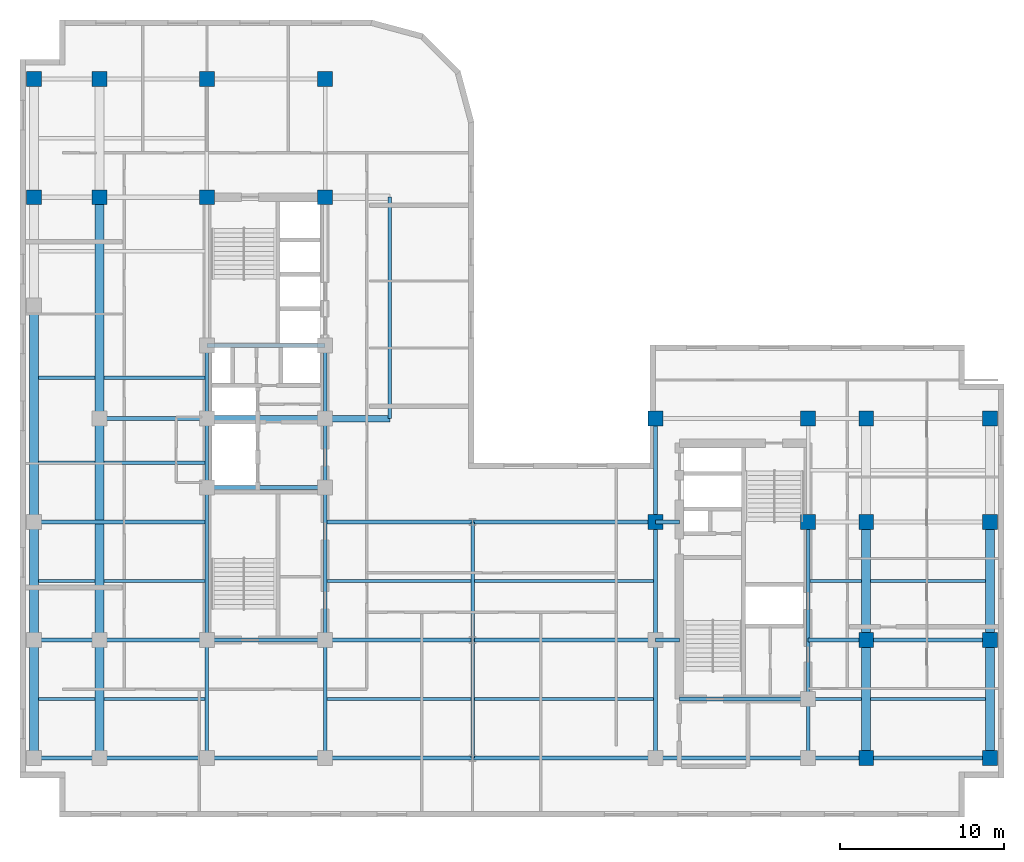
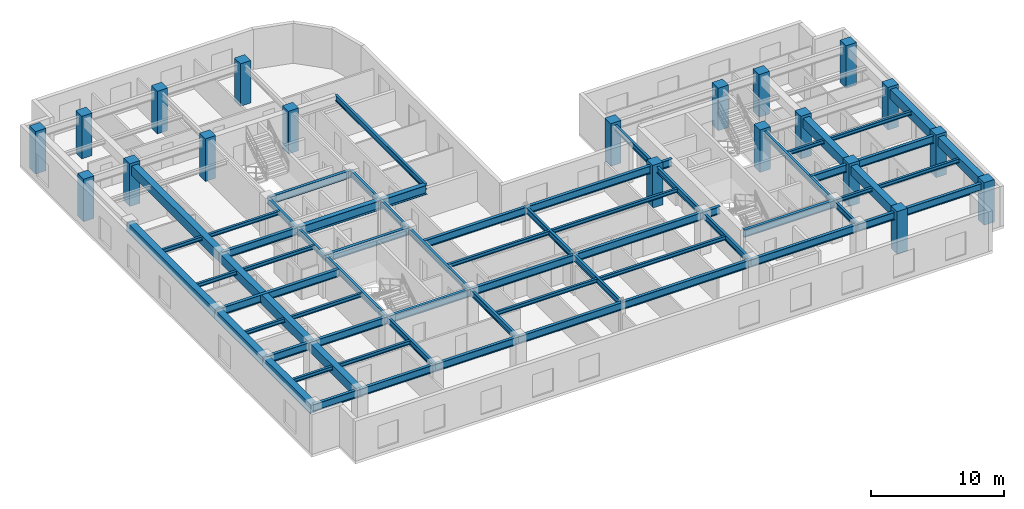
# One storey, part 2 of 11: 67 beams, 20 columns.
"""IFC4 building model written with IfcOpenShell, lengths in metres."""

from ifc_helpers import new_model, entity, si_unit, converted_unit, direction, frame, origin_with_axes, origin_2d_with_axis, place, context, subcontext, project, spatial, rectangle, i_section, extrude, material, material_profile, profile_set, type_object, element, save


model = new_model("IFC4")

# Units and contexts
model_context = context("Model", 3, precision=1e-05, world=origin_with_axes(), true_north=direction((0.0, 1.0)))
body_context = subcontext(model_context, "Body", "Model", "MODEL_VIEW")
ifc_project = project(units=[si_unit("LENGTHUNIT", "METRE"), si_unit("AREAUNIT", "SQUARE_METRE"), si_unit("VOLUMEUNIT", "CUBIC_METRE"), converted_unit("PLANEANGLEUNIT", "DEGREE", entity("IfcPlaneAngleMeasure", 0.017453292519943295), si_unit("PLANEANGLEUNIT", "RADIAN"), dimensions=[0, 0, 0, 0, 0, 0, 0]), si_unit("MASSUNIT", "GRAM", prefix="KILO"), si_unit("THERMODYNAMICTEMPERATUREUNIT", "KELVIN")], contexts=[model_context])

# Site, building, storey
site_placement = place(None, origin_with_axes())
site = spatial("IfcSite", under=ifc_project, at=site_placement, CompositionType="ELEMENT")
building_placement = place(site_placement, origin_with_axes())
building = spatial("IfcBuilding", under=site, at=building_placement, Name="Varnlund Millrace Tower", CompositionType="ELEMENT")
storey_placement = place(building_placement, frame((0.0, 0.0, 192.6), z_axis=(0.0, 0.0, 1.0), x_axis=(1.0, 0.0, 0.0)))
storey = spatial("IfcBuildingStorey", under=building, at=storey_placement, Name="L47", CompositionType="ELEMENT", Elevation=192.6)

# Columns
ifc_material_1 = material(Name="Concrete C70/85", Category="concrete")
ifc_material_profile_1 = material_profile(ifc_material_1, rectangle(XDim=0.9, YDim=0.9, at=origin_2d_with_axis()), Name="Concrete C70/85")
ifc_profile_set_1 = profile_set([ifc_material_profile_1], Name="Concrete C70/85")
column_type = type_object("IfcColumnType", Name="Type-Col-RC900-C70", PredefinedType="COLUMN", material=ifc_profile_set_1)
for number, where, z_axis, x_axis, name in (
    (1, (11.4, 37.8, 0.0), (0.0, 0.0, 1.0), (1.0, 0.0, 0.0), "Type-Col-RC900-C70"),
    (2, (11.4, 45.0, 0.0), (0.0, 0.0, 1.0), (1.0, 0.0, 0.0), "Type-Col-RC900-C70"),
    (3, (18.6, 37.8, 0.0), (0.0, 0.0, 1.0), (1.0, 0.0, 0.0), "Type-Col-RC900-C70"),
    (4, (18.6, 45.0, 0.0), (0.0, 0.0, 1.0), (1.0, 0.0, 0.0), "Type-Col-RC900-C70"),
    (5, (4.85, 37.8, 0.0), (0.0, 0.0, 1.0), (1.0, 0.0, 0.0), "Type-Col-RC900-C70"),
    (6, (4.85, 45.0, 0.0), (0.0, 0.0, 1.0), (1.0, 0.0, 0.0), "Type-Col-RC900-C70"),
    (7, (0.85, 37.8, 0.0), (0.0, 0.0, 1.0), (1.0, 0.0, 0.0), "Type-Col-RC900-C70"),
    (8, (0.85, 45.0, 0.0), (0.0, 0.0, 1.0), (1.0, 0.0, 0.0), "Type-Col-RC900-C70"),
    (9, (38.75, 18.0, 0.0), (0.0, 0.0, 1.0), (1.0, 0.0, 0.0), "Type-Col-RC900-C70"),
    (10, (38.75, 24.3, 0.0), (0.0, 0.0, 1.0), (1.0, 0.0, 0.0), "Type-Col-RC900-C70"),
    (11, (48.05, 18.0, 0.0), (0.0, 0.0, 1.0), (1.0, 0.0, 0.0), "Type-Col-RC900-C70"),
    (12, (48.05, 24.3, 0.0), (0.0, 0.0, 1.0), (1.0, 0.0, 0.0), "Type-Col-RC900-C70"),
    (13, (51.6, 3.6, 0.0), (0.0, 0.0, 1.0), (1.0, 0.0, 0.0), "Type-Col-RC900-C70"),
    (14, (51.6, 10.8, 0.0), (0.0, 0.0, 1.0), (1.0, 0.0, 0.0), "Type-Col-RC900-C70"),
    (15, (51.6, 18.0, 0.0), (0.0, 0.0, 1.0), (1.0, 0.0, 0.0), "Type-Col-RC900-C70"),
    (16, (51.6, 24.3, 0.0), (0.0, 0.0, 1.0), (1.0, 0.0, 0.0), "Type-Col-RC900-C70"),
    (17, (59.15, 3.6, 0.0), (0.0, 0.0, 1.0), (1.0, 0.0, 0.0), "Type-Col-RC900-C70"),
    (18, (59.15, 10.8, 0.0), (0.0, 0.0, 1.0), (1.0, 0.0, 0.0), "Type-Col-RC900-C70"),
    (19, (59.15, 18.0, 0.0), (0.0, 0.0, 1.0), (1.0, 0.0, 0.0), "Type-Col-RC900-C70"),
    (20, (59.15, 24.3, 0.0), (0.0, 0.0, 1.0), (1.0, 0.0, 0.0), "Type-Col-RC900-C70"),
):
    element("IfcColumn", number, at=place(storey_placement, frame(where, z_axis=z_axis, x_axis=x_axis)), inside=storey, type_object=column_type, Name=name, PredefinedType="COLUMN", context=body_context, shape_type="SweptSolid", body=[
        extrude(rectangle(XDim=0.9, YDim=0.9, at=origin_2d_with_axis()), origin_with_axes(), (0.0, 0.0, 1.0), 3.9),
    ])

# Beams
ifc_material_2 = material(Name="Steel ASTM A992 Grade 50", Category="steel")
ifc_material_profile_2 = material_profile(ifc_material_2, i_section(OverallWidth=0.209, OverallDepth=0.533, WebThickness=0.0102, FlangeThickness=0.0156, FilletRadius=0.014, at=origin_2d_with_axis()), Name="Steel ASTM A992 Grade 50")
ifc_profile_set_2 = profile_set([ifc_material_profile_2], Name="Steel ASTM A992 Grade 50")
beam_type_1 = type_object("IfcBeamType", Name="Type-Beam-W21X62", PredefinedType="BEAM", material=ifc_profile_set_2)
beam_1_placement = place(storey_placement, frame((22.55, 24.3, 3.3935), z_axis=(0.0, 1.0, 0.0), x_axis=(-1.0, 0.0, 0.0)))
element("IfcBeam", 21, at=beam_1_placement, inside=storey, type_object=beam_type_1, Name="Type-Beam-W21X62", PredefinedType="BEAM", context=body_context, shape_type="SweptSolid", body=[
    extrude(i_section(OverallWidth=0.209, OverallDepth=0.533, WebThickness=0.0102, FlangeThickness=0.0156, FilletRadius=0.014, at=origin_2d_with_axis()), origin_with_axes(), (0.0, 0.0, 1.0), 13.5),
])
ifc_material_profile_3 = material_profile(ifc_material_2, i_section(OverallWidth=0.214, OverallDepth=0.549, WebThickness=0.0147, FlangeThickness=0.0236, FilletRadius=0.015, at=origin_2d_with_axis()), Name="Steel ASTM A992 Grade 50")
ifc_profile_set_3 = profile_set([ifc_material_profile_3], Name="Steel ASTM A992 Grade 50")
beam_type_2 = type_object("IfcBeamType", Name="Type-Beam-W21X93", PredefinedType="BEAM", material=ifc_profile_set_3)
beam_2_placement = place(storey_placement, frame((11.4, 3.6, 3.3855), z_axis=(0.0, 1.0, 0.0), x_axis=(-1.0, 0.0, 0.0)))
element("IfcBeam", 22, at=beam_2_placement, inside=storey, type_object=beam_type_2, Name="Type-Beam-W21X93", PredefinedType="BEAM", context=body_context, shape_type="SweptSolid", body=[
    extrude(i_section(OverallWidth=0.214, OverallDepth=0.549, WebThickness=0.0147, FlangeThickness=0.0236, FilletRadius=0.015, at=origin_2d_with_axis()), origin_with_axes(), (0.0, 0.0, 1.0), 7.2),
])
beam_3_placement = place(storey_placement, frame((11.4, 10.8, 3.3855), z_axis=(0.0, 1.0, 0.0), x_axis=(-1.0, 0.0, 0.0)))
element("IfcBeam", 23, at=beam_3_placement, inside=storey, type_object=beam_type_2, Name="Type-Beam-W21X93", PredefinedType="BEAM", context=body_context, shape_type="SweptSolid", body=[
    extrude(i_section(OverallWidth=0.214, OverallDepth=0.549, WebThickness=0.0147, FlangeThickness=0.0236, FilletRadius=0.015, at=origin_2d_with_axis()), origin_with_axes(), (0.0, 0.0, 1.0), 9.3),
])
beam_4_placement = place(storey_placement, frame((11.4, 20.1, 3.3855), z_axis=(0.0, 1.0, 0.0), x_axis=(-1.0, 0.0, 0.0)))
element("IfcBeam", 24, at=beam_4_placement, inside=storey, type_object=beam_type_2, Name="Type-Beam-W21X93", PredefinedType="BEAM", context=body_context, shape_type="SweptSolid", body=[
    extrude(i_section(OverallWidth=0.214, OverallDepth=0.549, WebThickness=0.0147, FlangeThickness=0.0236, FilletRadius=0.015, at=origin_2d_with_axis()), origin_with_axes(), (0.0, 0.0, 1.0), 4.2),
])
beam_5_placement = place(storey_placement, frame((11.4, 24.3, 3.3855), z_axis=(0.0, 1.0, 0.0), x_axis=(-1.0, 0.0, 0.0)))
element("IfcBeam", 25, at=beam_5_placement, inside=storey, type_object=beam_type_2, Name="Type-Beam-W21X93", PredefinedType="BEAM", context=body_context, shape_type="SweptSolid", body=[
    extrude(i_section(OverallWidth=0.214, OverallDepth=0.549, WebThickness=0.0147, FlangeThickness=0.0236, FilletRadius=0.015, at=origin_2d_with_axis()), origin_with_axes(), (0.0, 0.0, 1.0), 4.45),
])
beam_6_placement = place(storey_placement, frame((18.6, 3.6, 3.3855), z_axis=(0.0, 1.0, 0.0), x_axis=(-1.0, 0.0, 0.0)))
element("IfcBeam", 26, at=beam_6_placement, inside=storey, type_object=beam_type_2, Name="Type-Beam-W21X93", PredefinedType="BEAM", context=body_context, shape_type="SweptSolid", body=[
    extrude(i_section(OverallWidth=0.214, OverallDepth=0.549, WebThickness=0.0147, FlangeThickness=0.0236, FilletRadius=0.015, at=origin_2d_with_axis()), origin_with_axes(), (0.0, 0.0, 1.0), 7.2),
])
beam_7_placement = place(storey_placement, frame((18.6, 10.8, 3.3855), z_axis=(0.0, 1.0, 0.0), x_axis=(-1.0, 0.0, 0.0)))
element("IfcBeam", 27, at=beam_7_placement, inside=storey, type_object=beam_type_2, Name="Type-Beam-W21X93", PredefinedType="BEAM", context=body_context, shape_type="SweptSolid", body=[
    extrude(i_section(OverallWidth=0.214, OverallDepth=0.549, WebThickness=0.0147, FlangeThickness=0.0236, FilletRadius=0.015, at=origin_2d_with_axis()), origin_with_axes(), (0.0, 0.0, 1.0), 9.3),
])
beam_8_placement = place(storey_placement, frame((18.6, 20.1, 3.3855), z_axis=(0.0, 1.0, 0.0), x_axis=(-1.0, 0.0, 0.0)))
element("IfcBeam", 28, at=beam_8_placement, inside=storey, type_object=beam_type_2, Name="Type-Beam-W21X93", PredefinedType="BEAM", context=body_context, shape_type="SweptSolid", body=[
    extrude(i_section(OverallWidth=0.214, OverallDepth=0.549, WebThickness=0.0147, FlangeThickness=0.0236, FilletRadius=0.015, at=origin_2d_with_axis()), origin_with_axes(), (0.0, 0.0, 1.0), 4.2),
])
beam_9_placement = place(storey_placement, frame((18.6, 24.3, 3.3855), z_axis=(0.0, 1.0, 0.0), x_axis=(-1.0, 0.0, 0.0)))
element("IfcBeam", 29, at=beam_9_placement, inside=storey, type_object=beam_type_2, Name="Type-Beam-W21X93", PredefinedType="BEAM", context=body_context, shape_type="SweptSolid", body=[
    extrude(i_section(OverallWidth=0.214, OverallDepth=0.549, WebThickness=0.0147, FlangeThickness=0.0236, FilletRadius=0.015, at=origin_2d_with_axis()), origin_with_axes(), (0.0, 0.0, 1.0), 4.45),
])
for number, where, z_axis, x_axis, name in (
    (30, (27.6, 3.6, 3.3855), (0.0, 1.0, 0.0), (-1.0, 0.0, 0.0), "Type-Beam-W21X93"),
    (31, (27.6, 10.8, 3.3855), (0.0, 1.0, 0.0), (-1.0, 0.0, 0.0), "Type-Beam-W21X93"),
    (32, (38.75, 3.6, 3.3855), (0.0, 1.0, 0.0), (-1.0, 0.0, 0.0), "Type-Beam-W21X93"),
    (33, (38.75, 10.8, 3.3855), (0.0, 1.0, 0.0), (-1.0, 0.0, 0.0), "Type-Beam-W21X93"),
):
    element("IfcBeam", number, at=place(storey_placement, frame(where, z_axis=z_axis, x_axis=x_axis)), inside=storey, type_object=beam_type_2, Name=name, PredefinedType="BEAM", context=body_context, shape_type="SweptSolid", body=[
        extrude(i_section(OverallWidth=0.214, OverallDepth=0.549, WebThickness=0.0147, FlangeThickness=0.0236, FilletRadius=0.015, at=origin_2d_with_axis()), origin_with_axes(), (0.0, 0.0, 1.0), 7.2),
    ])
beam_10_placement = place(storey_placement, frame((38.75, 18.0, 3.3855), z_axis=(0.0, 1.0, 0.0), x_axis=(-1.0, 0.0, 0.0)))
element("IfcBeam", 34, at=beam_10_placement, inside=storey, type_object=beam_type_2, Name="Type-Beam-W21X93", PredefinedType="BEAM", context=body_context, shape_type="SweptSolid", body=[
    extrude(i_section(OverallWidth=0.214, OverallDepth=0.549, WebThickness=0.0147, FlangeThickness=0.0236, FilletRadius=0.015, at=origin_2d_with_axis()), origin_with_axes(), (0.0, 0.0, 1.0), 6.3),
])
beam_11_placement = place(storey_placement, frame((48.05, 3.6, 3.3855), z_axis=(0.0, 1.0, 0.0), x_axis=(-1.0, 0.0, 0.0)))
element("IfcBeam", 35, at=beam_11_placement, inside=storey, type_object=beam_type_2, Name="Type-Beam-W21X93", PredefinedType="BEAM", context=body_context, shape_type="SweptSolid", body=[
    extrude(i_section(OverallWidth=0.214, OverallDepth=0.549, WebThickness=0.0147, FlangeThickness=0.0236, FilletRadius=0.015, at=origin_2d_with_axis()), origin_with_axes(), (0.0, 0.0, 1.0), 3.6),
])
beam_12_placement = place(storey_placement, frame((48.05, 7.2, 3.3855), z_axis=(0.0, 1.0, 0.0), x_axis=(-1.0, 0.0, 0.0)))
element("IfcBeam", 36, at=beam_12_placement, inside=storey, type_object=beam_type_2, Name="Type-Beam-W21X93", PredefinedType="BEAM", context=body_context, shape_type="SweptSolid", body=[
    extrude(i_section(OverallWidth=0.214, OverallDepth=0.549, WebThickness=0.0147, FlangeThickness=0.0236, FilletRadius=0.015, at=origin_2d_with_axis()), origin_with_axes(), (0.0, 0.0, 1.0), 10.8),
])
ifc_material_profile_4 = material_profile(ifc_material_2, i_section(OverallWidth=0.256, OverallDepth=0.693, WebThickness=0.0145, FlangeThickness=0.0236, FilletRadius=0.018, at=origin_2d_with_axis()), Name="Steel ASTM A992 Grade 50")
ifc_profile_set_4 = profile_set([ifc_material_profile_4], Name="Steel ASTM A992 Grade 50")
beam_type_3 = type_object("IfcBeamType", Name="Type-Girder-W27X114", PredefinedType="USERDEFINED", material=ifc_profile_set_4)
beam_13_placement = place(storey_placement, frame((0.85, 3.6, 3.3135), z_axis=(1.0, 0.0, 0.0), x_axis=(0.0, 1.0, 0.0)))
element("IfcBeam", 37, at=beam_13_placement, inside=storey, type_object=beam_type_3, Name="Type-Girder-W27X114", ObjectType="GIRDER", PredefinedType="USERDEFINED", context=body_context, shape_type="SweptSolid", body=[
    extrude(i_section(OverallWidth=0.256, OverallDepth=0.693, WebThickness=0.0145, FlangeThickness=0.0236, FilletRadius=0.018, at=origin_2d_with_axis()), origin_with_axes(), (0.0, 0.0, 1.0), 4.0),
])
beam_14_placement = place(storey_placement, frame((4.85, 3.6, 3.3135), z_axis=(1.0, 0.0, 0.0), x_axis=(0.0, 1.0, 0.0)))
element("IfcBeam", 38, at=beam_14_placement, inside=storey, type_object=beam_type_3, Name="Type-Girder-W27X114", ObjectType="GIRDER", PredefinedType="USERDEFINED", context=body_context, shape_type="SweptSolid", body=[
    extrude(i_section(OverallWidth=0.256, OverallDepth=0.693, WebThickness=0.0145, FlangeThickness=0.0236, FilletRadius=0.018, at=origin_2d_with_axis()), origin_with_axes(), (0.0, 0.0, 1.0), 6.55),
])
beam_15_placement = place(storey_placement, frame((11.4, 3.6, 3.3135), z_axis=(1.0, 0.0, 0.0), x_axis=(0.0, 1.0, 0.0)))
element("IfcBeam", 39, at=beam_15_placement, inside=storey, type_object=beam_type_3, Name="Type-Girder-W27X114", ObjectType="GIRDER", PredefinedType="USERDEFINED", context=body_context, shape_type="SweptSolid", body=[
    extrude(i_section(OverallWidth=0.256, OverallDepth=0.693, WebThickness=0.0145, FlangeThickness=0.0236, FilletRadius=0.018, at=origin_2d_with_axis()), origin_with_axes(), (0.0, 0.0, 1.0), 7.2),
])
beam_16_placement = place(storey_placement, frame((18.6, 3.6, 3.3135), z_axis=(1.0, 0.0, 0.0), x_axis=(0.0, 1.0, 0.0)))
element("IfcBeam", 40, at=beam_16_placement, inside=storey, type_object=beam_type_3, Name="Type-Girder-W27X114", ObjectType="GIRDER", PredefinedType="USERDEFINED", context=body_context, shape_type="SweptSolid", body=[
    extrude(i_section(OverallWidth=0.256, OverallDepth=0.693, WebThickness=0.0145, FlangeThickness=0.0236, FilletRadius=0.018, at=origin_2d_with_axis()), origin_with_axes(), (0.0, 0.0, 1.0), 9.0),
])
beam_17_placement = place(storey_placement, frame((27.6, 3.6, 3.3135), z_axis=(1.0, 0.0, 0.0), x_axis=(0.0, 1.0, 0.0)))
element("IfcBeam", 41, at=beam_17_placement, inside=storey, type_object=beam_type_3, Name="Type-Girder-W27X114", ObjectType="GIRDER", PredefinedType="USERDEFINED", context=body_context, shape_type="SweptSolid", body=[
    extrude(i_section(OverallWidth=0.256, OverallDepth=0.693, WebThickness=0.0145, FlangeThickness=0.0236, FilletRadius=0.018, at=origin_2d_with_axis()), origin_with_axes(), (0.0, 0.0, 1.0), 11.15),
])
beam_18_placement = place(storey_placement, frame((38.75, 3.6, 3.3135), z_axis=(1.0, 0.0, 0.0), x_axis=(0.0, 1.0, 0.0)))
element("IfcBeam", 42, at=beam_18_placement, inside=storey, type_object=beam_type_3, Name="Type-Girder-W27X114", ObjectType="GIRDER", PredefinedType="USERDEFINED", context=body_context, shape_type="SweptSolid", body=[
    extrude(i_section(OverallWidth=0.256, OverallDepth=0.693, WebThickness=0.0145, FlangeThickness=0.0236, FilletRadius=0.018, at=origin_2d_with_axis()), origin_with_axes(), (0.0, 0.0, 1.0), 9.3),
])
beam_19_placement = place(storey_placement, frame((48.05, 3.6, 3.3135), z_axis=(1.0, 0.0, 0.0), x_axis=(0.0, 1.0, 0.0)))
element("IfcBeam", 43, at=beam_19_placement, inside=storey, type_object=beam_type_3, Name="Type-Girder-W27X114", ObjectType="GIRDER", PredefinedType="USERDEFINED", context=body_context, shape_type="SweptSolid", body=[
    extrude(i_section(OverallWidth=0.256, OverallDepth=0.693, WebThickness=0.0145, FlangeThickness=0.0236, FilletRadius=0.018, at=origin_2d_with_axis()), origin_with_axes(), (0.0, 0.0, 1.0), 3.55),
])
beam_20_placement = place(storey_placement, frame((51.6, 3.6, 3.3135), z_axis=(1.0, 0.0, 0.0), x_axis=(0.0, 1.0, 0.0)))
element("IfcBeam", 44, at=beam_20_placement, inside=storey, type_object=beam_type_3, Name="Type-Girder-W27X114", ObjectType="GIRDER", PredefinedType="USERDEFINED", context=body_context, shape_type="SweptSolid", body=[
    extrude(i_section(OverallWidth=0.256, OverallDepth=0.693, WebThickness=0.0145, FlangeThickness=0.0236, FilletRadius=0.018, at=origin_2d_with_axis()), origin_with_axes(), (0.0, 0.0, 1.0), 7.55),
])
beam_21_placement = place(storey_placement, frame((40.2, 7.2, 3.3135), z_axis=(1.0, 0.0, 0.0), x_axis=(0.0, 1.0, 0.0)))
element("IfcBeam", 45, at=beam_21_placement, inside=storey, type_object=beam_type_3, Name="Type-Girder-W27X114", ObjectType="GIRDER", PredefinedType="USERDEFINED", context=body_context, shape_type="SweptSolid", body=[
    extrude(i_section(OverallWidth=0.256, OverallDepth=0.693, WebThickness=0.0145, FlangeThickness=0.0236, FilletRadius=0.018, at=origin_2d_with_axis()), origin_with_axes(), (0.0, 0.0, 1.0), 7.85),
])
beam_22_placement = place(storey_placement, frame((0.85, 10.8, 3.3135), z_axis=(1.0, 0.0, 0.0), x_axis=(0.0, 1.0, 0.0)))
element("IfcBeam", 46, at=beam_22_placement, inside=storey, type_object=beam_type_3, Name="Type-Girder-W27X114", ObjectType="GIRDER", PredefinedType="USERDEFINED", context=body_context, shape_type="SweptSolid", body=[
    extrude(i_section(OverallWidth=0.256, OverallDepth=0.693, WebThickness=0.0145, FlangeThickness=0.0236, FilletRadius=0.018, at=origin_2d_with_axis()), origin_with_axes(), (0.0, 0.0, 1.0), 4.0),
])
beam_23_placement = place(storey_placement, frame((4.85, 10.8, 3.3135), z_axis=(1.0, 0.0, 0.0), x_axis=(0.0, 1.0, 0.0)))
element("IfcBeam", 47, at=beam_23_placement, inside=storey, type_object=beam_type_3, Name="Type-Girder-W27X114", ObjectType="GIRDER", PredefinedType="USERDEFINED", context=body_context, shape_type="SweptSolid", body=[
    extrude(i_section(OverallWidth=0.256, OverallDepth=0.693, WebThickness=0.0145, FlangeThickness=0.0236, FilletRadius=0.018, at=origin_2d_with_axis()), origin_with_axes(), (0.0, 0.0, 1.0), 6.55),
])
beam_24_placement = place(storey_placement, frame((11.4, 10.8, 3.3135), z_axis=(1.0, 0.0, 0.0), x_axis=(0.0, 1.0, 0.0)))
element("IfcBeam", 48, at=beam_24_placement, inside=storey, type_object=beam_type_3, Name="Type-Girder-W27X114", ObjectType="GIRDER", PredefinedType="USERDEFINED", context=body_context, shape_type="SweptSolid", body=[
    extrude(i_section(OverallWidth=0.256, OverallDepth=0.693, WebThickness=0.0145, FlangeThickness=0.0236, FilletRadius=0.018, at=origin_2d_with_axis()), origin_with_axes(), (0.0, 0.0, 1.0), 7.2),
])
beam_25_placement = place(storey_placement, frame((18.6, 10.8, 3.3135), z_axis=(1.0, 0.0, 0.0), x_axis=(0.0, 1.0, 0.0)))
element("IfcBeam", 49, at=beam_25_placement, inside=storey, type_object=beam_type_3, Name="Type-Girder-W27X114", ObjectType="GIRDER", PredefinedType="USERDEFINED", context=body_context, shape_type="SweptSolid", body=[
    extrude(i_section(OverallWidth=0.256, OverallDepth=0.693, WebThickness=0.0145, FlangeThickness=0.0236, FilletRadius=0.018, at=origin_2d_with_axis()), origin_with_axes(), (0.0, 0.0, 1.0), 9.0),
])
beam_26_placement = place(storey_placement, frame((27.6, 10.8, 3.3135), z_axis=(1.0, 0.0, 0.0), x_axis=(0.0, 1.0, 0.0)))
element("IfcBeam", 50, at=beam_26_placement, inside=storey, type_object=beam_type_3, Name="Type-Girder-W27X114", ObjectType="GIRDER", PredefinedType="USERDEFINED", context=body_context, shape_type="SweptSolid", body=[
    extrude(i_section(OverallWidth=0.256, OverallDepth=0.693, WebThickness=0.0145, FlangeThickness=0.0236, FilletRadius=0.018, at=origin_2d_with_axis()), origin_with_axes(), (0.0, 0.0, 1.0), 11.15),
])
beam_27_placement = place(storey_placement, frame((38.75, 10.8, 3.3135), z_axis=(1.0, 0.0, 0.0), x_axis=(0.0, 1.0, 0.0)))
element("IfcBeam", 51, at=beam_27_placement, inside=storey, type_object=beam_type_3, Name="Type-Girder-W27X114", ObjectType="GIRDER", PredefinedType="USERDEFINED", context=body_context, shape_type="SweptSolid", body=[
    extrude(i_section(OverallWidth=0.256, OverallDepth=0.693, WebThickness=0.0145, FlangeThickness=0.0236, FilletRadius=0.018, at=origin_2d_with_axis()), origin_with_axes(), (0.0, 0.0, 1.0), 1.45),
])
beam_28_placement = place(storey_placement, frame((48.05, 10.8, 3.3135), z_axis=(1.0, 0.0, 0.0), x_axis=(0.0, 1.0, 0.0)))
element("IfcBeam", 52, at=beam_28_placement, inside=storey, type_object=beam_type_3, Name="Type-Girder-W27X114", ObjectType="GIRDER", PredefinedType="USERDEFINED", context=body_context, shape_type="SweptSolid", body=[
    extrude(i_section(OverallWidth=0.256, OverallDepth=0.693, WebThickness=0.0145, FlangeThickness=0.0236, FilletRadius=0.018, at=origin_2d_with_axis()), origin_with_axes(), (0.0, 0.0, 1.0), 3.55),
])
beam_29_placement = place(storey_placement, frame((51.6, 10.8, 3.3135), z_axis=(1.0, 0.0, 0.0), x_axis=(0.0, 1.0, 0.0)))
element("IfcBeam", 53, at=beam_29_placement, inside=storey, type_object=beam_type_3, Name="Type-Girder-W27X114", ObjectType="GIRDER", PredefinedType="USERDEFINED", context=body_context, shape_type="SweptSolid", body=[
    extrude(i_section(OverallWidth=0.256, OverallDepth=0.693, WebThickness=0.0145, FlangeThickness=0.0236, FilletRadius=0.018, at=origin_2d_with_axis()), origin_with_axes(), (0.0, 0.0, 1.0), 7.55),
])
beam_30_placement = place(storey_placement, frame((0.85, 18.0, 3.3135), z_axis=(1.0, 0.0, 0.0), x_axis=(0.0, 1.0, 0.0)))
element("IfcBeam", 54, at=beam_30_placement, inside=storey, type_object=beam_type_3, Name="Type-Girder-W27X114", ObjectType="GIRDER", PredefinedType="USERDEFINED", context=body_context, shape_type="SweptSolid", body=[
    extrude(i_section(OverallWidth=0.256, OverallDepth=0.693, WebThickness=0.0145, FlangeThickness=0.0236, FilletRadius=0.018, at=origin_2d_with_axis()), origin_with_axes(), (0.0, 0.0, 1.0), 10.55),
])
beam_31_placement = place(storey_placement, frame((18.6, 18.0, 3.3135), z_axis=(1.0, 0.0, 0.0), x_axis=(0.0, 1.0, 0.0)))
element("IfcBeam", 55, at=beam_31_placement, inside=storey, type_object=beam_type_3, Name="Type-Girder-W27X114", ObjectType="GIRDER", PredefinedType="USERDEFINED", context=body_context, shape_type="SweptSolid", body=[
    extrude(i_section(OverallWidth=0.256, OverallDepth=0.693, WebThickness=0.0145, FlangeThickness=0.0236, FilletRadius=0.018, at=origin_2d_with_axis()), origin_with_axes(), (0.0, 0.0, 1.0), 9.0),
])
beam_32_placement = place(storey_placement, frame((27.6, 18.0, 3.3135), z_axis=(1.0, 0.0, 0.0), x_axis=(0.0, 1.0, 0.0)))
element("IfcBeam", 56, at=beam_32_placement, inside=storey, type_object=beam_type_3, Name="Type-Girder-W27X114", ObjectType="GIRDER", PredefinedType="USERDEFINED", context=body_context, shape_type="SweptSolid", body=[
    extrude(i_section(OverallWidth=0.256, OverallDepth=0.693, WebThickness=0.0145, FlangeThickness=0.0236, FilletRadius=0.018, at=origin_2d_with_axis()), origin_with_axes(), (0.0, 0.0, 1.0), 11.15),
])
beam_33_placement = place(storey_placement, frame((38.75, 18.0, 3.3135), z_axis=(1.0, 0.0, 0.0), x_axis=(0.0, 1.0, 0.0)))
element("IfcBeam", 57, at=beam_33_placement, inside=storey, type_object=beam_type_3, Name="Type-Girder-W27X114", ObjectType="GIRDER", PredefinedType="USERDEFINED", context=body_context, shape_type="SweptSolid", body=[
    extrude(i_section(OverallWidth=0.256, OverallDepth=0.693, WebThickness=0.0145, FlangeThickness=0.0236, FilletRadius=0.018, at=origin_2d_with_axis()), origin_with_axes(), (0.0, 0.0, 1.0), 1.45),
])
beam_34_placement = place(storey_placement, frame((11.4, 20.1, 3.3135), z_axis=(1.0, 0.0, 0.0), x_axis=(0.0, 1.0, 0.0)))
element("IfcBeam", 58, at=beam_34_placement, inside=storey, type_object=beam_type_3, Name="Type-Girder-W27X114", ObjectType="GIRDER", PredefinedType="USERDEFINED", context=body_context, shape_type="SweptSolid", body=[
    extrude(i_section(OverallWidth=0.256, OverallDepth=0.693, WebThickness=0.0145, FlangeThickness=0.0236, FilletRadius=0.018, at=origin_2d_with_axis()), origin_with_axes(), (0.0, 0.0, 1.0), 7.2),
])
beam_35_placement = place(storey_placement, frame((4.85, 24.3, 3.3135), z_axis=(1.0, 0.0, 0.0), x_axis=(0.0, 1.0, 0.0)))
element("IfcBeam", 59, at=beam_35_placement, inside=storey, type_object=beam_type_3, Name="Type-Girder-W27X114", ObjectType="GIRDER", PredefinedType="USERDEFINED", context=body_context, shape_type="SweptSolid", body=[
    extrude(i_section(OverallWidth=0.256, OverallDepth=0.693, WebThickness=0.0145, FlangeThickness=0.0236, FilletRadius=0.018, at=origin_2d_with_axis()), origin_with_axes(), (0.0, 0.0, 1.0), 6.55),
])
beam_36_placement = place(storey_placement, frame((11.4, 28.75, 3.3135), z_axis=(1.0, 0.0, 0.0), x_axis=(0.0, 1.0, 0.0)))
element("IfcBeam", 60, at=beam_36_placement, inside=storey, type_object=beam_type_3, Name="Type-Girder-W27X114", ObjectType="GIRDER", PredefinedType="USERDEFINED", context=body_context, shape_type="SweptSolid", body=[
    extrude(i_section(OverallWidth=0.256, OverallDepth=0.693, WebThickness=0.0145, FlangeThickness=0.0236, FilletRadius=0.018, at=origin_2d_with_axis()), origin_with_axes(), (0.0, 0.0, 1.0), 7.2),
])
ifc_material_profile_5 = material_profile(ifc_material_2, i_section(OverallWidth=0.399, OverallDepth=0.855, WebThickness=0.0182, FlangeThickness=0.0292, FilletRadius=0.022, at=origin_2d_with_axis()), Name="Steel ASTM A992 Grade 50")
ifc_profile_set_5 = profile_set([ifc_material_profile_5], Name="Steel ASTM A992 Grade 50")
beam_type_4 = type_object("IfcBeamType", Name="Type-Girder-W33X201", PredefinedType="USERDEFINED", material=ifc_profile_set_5)
beam_37_placement = place(storey_placement, frame((11.4, 24.3, 3.2325), z_axis=(1.0, 0.0, 0.0), x_axis=(0.0, 1.0, 0.0)))
element("IfcBeam", 61, at=beam_37_placement, inside=storey, type_object=beam_type_4, Name="Type-Girder-W33X201", ObjectType="GIRDER", PredefinedType="USERDEFINED", context=body_context, shape_type="SweptSolid", body=[
    extrude(i_section(OverallWidth=0.399, OverallDepth=0.855, WebThickness=0.0182, FlangeThickness=0.0292, FilletRadius=0.022, at=origin_2d_with_axis()), origin_with_axes(), (0.0, 0.0, 1.0), 11.15),
])
ifc_material_profile_6 = material_profile(ifc_material_2, i_section(OverallWidth=0.204, OverallDepth=0.35, WebThickness=0.0086, FlangeThickness=0.0151, FilletRadius=0.013, at=origin_2d_with_axis()), Name="Steel ASTM A992 Grade 50")
ifc_profile_set_6 = profile_set([ifc_material_profile_6], Name="Steel ASTM A992 Grade 50")
beam_type_5 = type_object("IfcBeamType", Name="Type-Joist-W14X48", PredefinedType="JOIST", material=ifc_profile_set_6)
for number, where, z_axis, x_axis, name in (
    (62, (1.125, 7.2, 3.485), (1.0, 0.0, 0.0), (0.0, 1.0, 0.0), "Type-Joist-W14X48"),
    (63, (1.125, 14.4, 3.485), (1.0, 0.0, 0.0), (0.0, 1.0, 0.0), "Type-Joist-W14X48"),
    (64, (1.125, 21.6, 3.485), (1.0, 0.0, 0.0), (0.0, 1.0, 0.0), "Type-Joist-W14X48"),
    (65, (1.125, 26.8, 3.485), (1.0, 0.0, 0.0), (0.0, 1.0, 0.0), "Type-Joist-W14X48"),
):
    element("IfcBeam", number, at=place(storey_placement, frame(where, z_axis=z_axis, x_axis=x_axis)), inside=storey, type_object=beam_type_5, Name=name, PredefinedType="JOIST", context=body_context, shape_type="SweptSolid", body=[
        extrude(i_section(OverallWidth=0.204, OverallDepth=0.35, WebThickness=0.0086, FlangeThickness=0.0151, FilletRadius=0.013, at=origin_2d_with_axis()), origin_with_axes(), (0.0, 0.0, 1.0), 3.45),
    ])
for number, where, z_axis, x_axis, name in (
    (66, (5.125, 7.2, 3.485), (1.0, 0.0, 0.0), (0.0, 1.0, 0.0), "Type-Joist-W14X48"),
    (67, (5.125, 14.4, 3.485), (1.0, 0.0, 0.0), (0.0, 1.0, 0.0), "Type-Joist-W14X48"),
    (68, (5.125, 21.6, 3.485), (1.0, 0.0, 0.0), (0.0, 1.0, 0.0), "Type-Joist-W14X48"),
    (69, (5.125, 26.8, 3.485), (1.0, 0.0, 0.0), (0.0, 1.0, 0.0), "Type-Joist-W14X48"),
):
    element("IfcBeam", number, at=place(storey_placement, frame(where, z_axis=z_axis, x_axis=x_axis)), inside=storey, type_object=beam_type_5, Name=name, PredefinedType="JOIST", context=body_context, shape_type="SweptSolid", body=[
        extrude(i_section(OverallWidth=0.204, OverallDepth=0.35, WebThickness=0.0086, FlangeThickness=0.0151, FilletRadius=0.013, at=origin_2d_with_axis()), origin_with_axes(), (0.0, 0.0, 1.0), 6.168),
    ])
for number, where, z_axis, x_axis, name in (
    (70, (48.157, 7.2, 3.485), (1.0, 0.0, 0.0), (0.0, 1.0, 0.0), "Type-Joist-W14X48"),
    (71, (48.157, 14.4, 3.485), (1.0, 0.0, 0.0), (0.0, 1.0, 0.0), "Type-Joist-W14X48"),
):
    element("IfcBeam", number, at=place(storey_placement, frame(where, z_axis=z_axis, x_axis=x_axis)), inside=storey, type_object=beam_type_5, Name=name, PredefinedType="JOIST", context=body_context, shape_type="SweptSolid", body=[
        extrude(i_section(OverallWidth=0.204, OverallDepth=0.35, WebThickness=0.0086, FlangeThickness=0.0151, FilletRadius=0.013, at=origin_2d_with_axis()), origin_with_axes(), (0.0, 0.0, 1.0), 3.168),
    ])
for number, where, z_axis, x_axis, name in (
    (72, (51.875, 7.2, 3.485), (1.0, 0.0, 0.0), (0.0, 1.0, 0.0), "Type-Joist-W14X48"),
    (73, (51.875, 14.4, 3.485), (1.0, 0.0, 0.0), (0.0, 1.0, 0.0), "Type-Joist-W14X48"),
):
    element("IfcBeam", number, at=place(storey_placement, frame(where, z_axis=z_axis, x_axis=x_axis)), inside=storey, type_object=beam_type_5, Name=name, PredefinedType="JOIST", context=body_context, shape_type="SweptSolid", body=[
        extrude(i_section(OverallWidth=0.204, OverallDepth=0.35, WebThickness=0.0086, FlangeThickness=0.0151, FilletRadius=0.013, at=origin_2d_with_axis()), origin_with_axes(), (0.0, 0.0, 1.0), 7.0),
    ])
for number, where, z_axis, x_axis, name in (
    (74, (18.707, 7.2, 3.485), (1.0, 0.0, 0.0), (0.0, 1.0, 0.0), "Type-Joist-W14X48"),
    (75, (18.707, 14.4, 3.485), (1.0, 0.0, 0.0), (0.0, 1.0, 0.0), "Type-Joist-W14X48"),
):
    element("IfcBeam", number, at=place(storey_placement, frame(where, z_axis=z_axis, x_axis=x_axis)), inside=storey, type_object=beam_type_5, Name=name, PredefinedType="JOIST", context=body_context, shape_type="SweptSolid", body=[
        extrude(i_section(OverallWidth=0.204, OverallDepth=0.35, WebThickness=0.0086, FlangeThickness=0.0151, FilletRadius=0.013, at=origin_2d_with_axis()), origin_with_axes(), (0.0, 0.0, 1.0), 8.786),
    ])
for number, where, z_axis, x_axis, name in (
    (76, (27.707, 7.2, 3.485), (1.0, 0.0, 0.0), (0.0, 1.0, 0.0), "Type-Joist-W14X48"),
    (77, (27.707, 14.4, 3.485), (1.0, 0.0, 0.0), (0.0, 1.0, 0.0), "Type-Joist-W14X48"),
):
    element("IfcBeam", number, at=place(storey_placement, frame(where, z_axis=z_axis, x_axis=x_axis)), inside=storey, type_object=beam_type_5, Name=name, PredefinedType="JOIST", context=body_context, shape_type="SweptSolid", body=[
        extrude(i_section(OverallWidth=0.204, OverallDepth=0.35, WebThickness=0.0086, FlangeThickness=0.0151, FilletRadius=0.013, at=origin_2d_with_axis()), origin_with_axes(), (0.0, 0.0, 1.0), 10.936),
    ])
ifc_material_3 = material(Name="Concrete C60/75", Category="concrete")
ifc_material_profile_7 = material_profile(ifc_material_3, rectangle(XDim=0.55, YDim=0.85, at=origin_2d_with_axis()), Name="Concrete C60/75")
ifc_profile_set_7 = profile_set([ifc_material_profile_7], Name="Concrete C60/75")
beam_type_6 = type_object("IfcBeamType", Name="Type-Spandrel-RC550X850", PredefinedType="SPANDREL", material=ifc_profile_set_7)
for number, where, z_axis, x_axis, name in (
    (78, (0.85, 3.6, 3.235), (0.0, 1.0, 0.0), (-1.0, 0.0, 0.0), "Type-Spandrel-RC550X850"),
    (79, (0.85, 10.8, 3.235), (0.0, 1.0, 0.0), (-1.0, 0.0, 0.0), "Type-Spandrel-RC550X850"),
):
    element("IfcBeam", number, at=place(storey_placement, frame(where, z_axis=z_axis, x_axis=x_axis)), inside=storey, type_object=beam_type_6, Name=name, PredefinedType="SPANDREL", context=body_context, shape_type="SweptSolid", body=[
        extrude(rectangle(XDim=0.55, YDim=0.85, at=origin_2d_with_axis()), origin_with_axes(), (0.0, 0.0, 1.0), 7.2),
    ])
beam_38_placement = place(storey_placement, frame((0.85, 18.0, 3.235), z_axis=(0.0, 1.0, 0.0), x_axis=(-1.0, 0.0, 0.0)))
element("IfcBeam", 80, at=beam_38_placement, inside=storey, type_object=beam_type_6, Name="Type-Spandrel-RC550X850", PredefinedType="SPANDREL", context=body_context, shape_type="SweptSolid", body=[
    extrude(rectangle(XDim=0.55, YDim=0.85, at=origin_2d_with_axis()), origin_with_axes(), (0.0, 0.0, 1.0), 13.2),
])
beam_39_placement = place(storey_placement, frame((4.85, 3.6, 3.235), z_axis=(0.0, 1.0, 0.0), x_axis=(-1.0, 0.0, 0.0)))
element("IfcBeam", 81, at=beam_39_placement, inside=storey, type_object=beam_type_6, Name="Type-Spandrel-RC550X850", PredefinedType="SPANDREL", context=body_context, shape_type="SweptSolid", body=[
    extrude(rectangle(XDim=0.55, YDim=0.85, at=origin_2d_with_axis()), origin_with_axes(), (0.0, 0.0, 1.0), 7.2),
])
for number, where, z_axis, x_axis, name in (
    (82, (4.85, 10.8, 3.235), (0.0, 1.0, 0.0), (-1.0, 0.0, 0.0), "Type-Spandrel-RC550X850"),
    (83, (4.85, 24.3, 3.235), (0.0, 1.0, 0.0), (-1.0, 0.0, 0.0), "Type-Spandrel-RC550X850"),
):
    element("IfcBeam", number, at=place(storey_placement, frame(where, z_axis=z_axis, x_axis=x_axis)), inside=storey, type_object=beam_type_6, Name=name, PredefinedType="SPANDREL", context=body_context, shape_type="SweptSolid", body=[
        extrude(rectangle(XDim=0.55, YDim=0.85, at=origin_2d_with_axis()), origin_with_axes(), (0.0, 0.0, 1.0), 13.5),
    ])
for number, where, z_axis, x_axis, name in (
    (84, (51.6, 3.6, 3.235), (0.0, 1.0, 0.0), (-1.0, 0.0, 0.0), "Type-Spandrel-RC550X850"),
    (85, (51.6, 10.8, 3.235), (0.0, 1.0, 0.0), (-1.0, 0.0, 0.0), "Type-Spandrel-RC550X850"),
    (86, (59.15, 3.6, 3.235), (0.0, 1.0, 0.0), (-1.0, 0.0, 0.0), "Type-Spandrel-RC550X850"),
    (87, (59.15, 10.8, 3.235), (0.0, 1.0, 0.0), (-1.0, 0.0, 0.0), "Type-Spandrel-RC550X850"),
):
    element("IfcBeam", number, at=place(storey_placement, frame(where, z_axis=z_axis, x_axis=x_axis)), inside=storey, type_object=beam_type_6, Name=name, PredefinedType="SPANDREL", context=body_context, shape_type="SweptSolid", body=[
        extrude(rectangle(XDim=0.55, YDim=0.85, at=origin_2d_with_axis()), origin_with_axes(), (0.0, 0.0, 1.0), 7.2),
    ])

save(model, "model.ifc")
